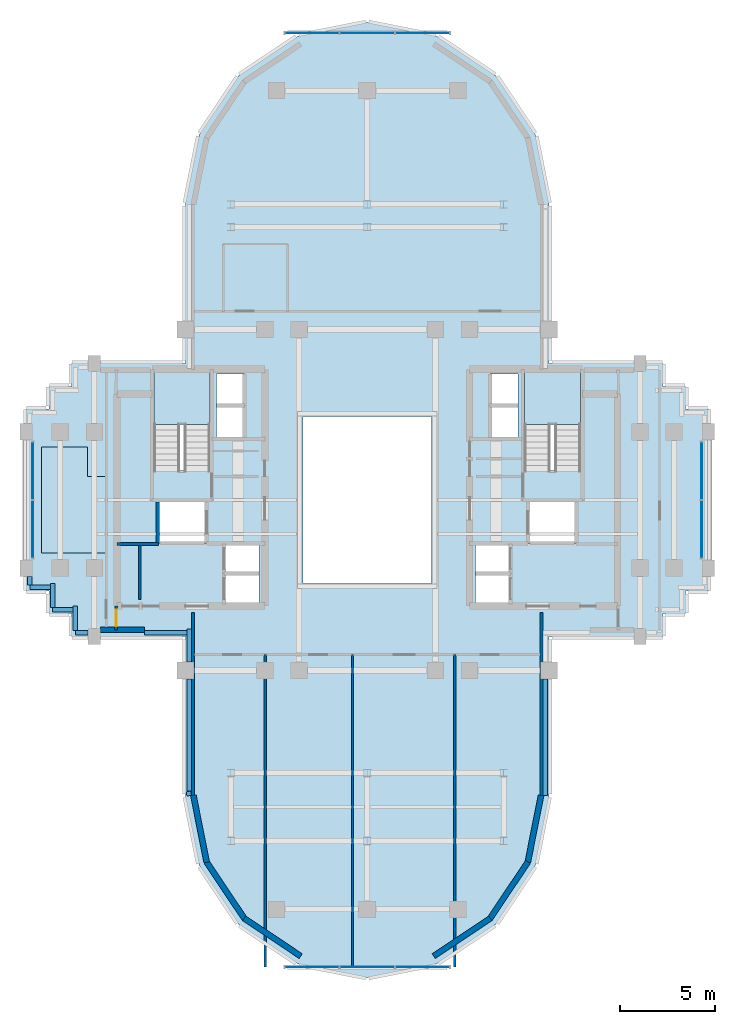
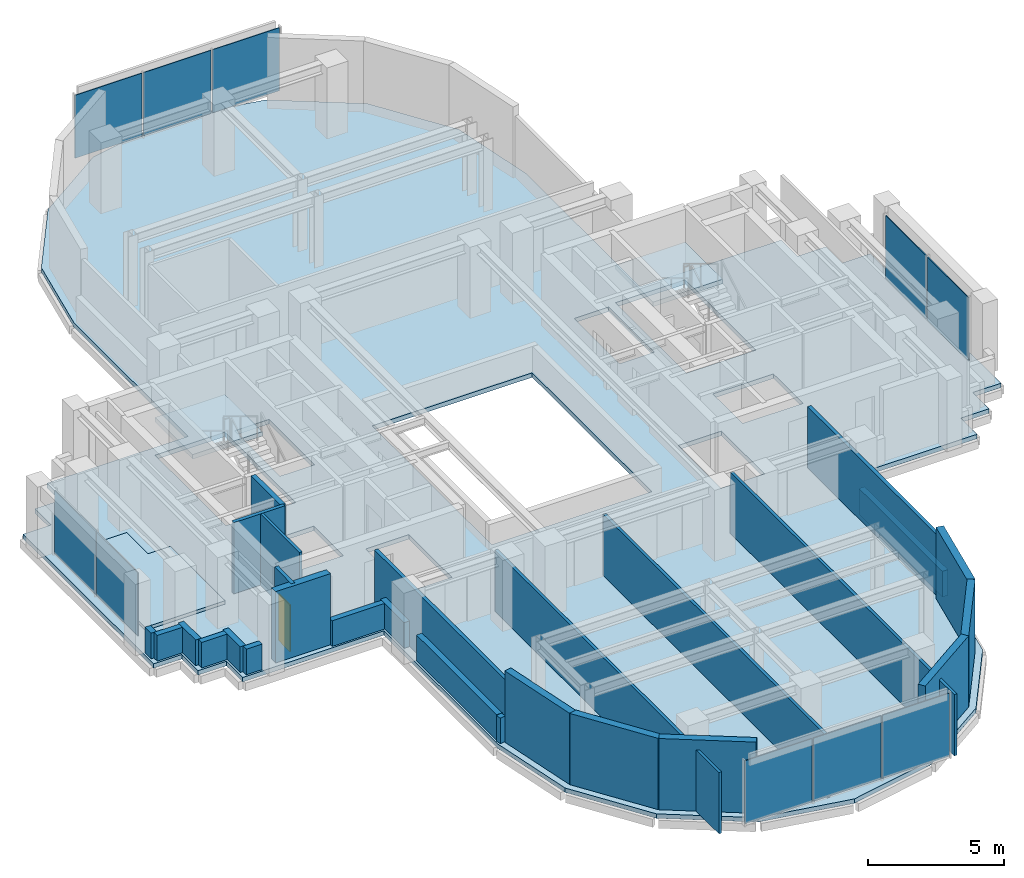
# One storey, part 5 of 11: 27 walls, 10 plates, 4 slabs, 1 door, 1 opening, 6 elements without a shape of their own.
"""IFC4 building model written with IfcOpenShell, lengths in metres."""

from ifc_helpers import new_model, si_unit, direction, frame, frame_2d, origin, origin_2d, place, context, subcontext, project, spatial, polyline, rectangle, outline, extrude, source, transform, mapped, material, layer, layer_set, type_object, element, fill, aggregate, save


model = new_model("IFC4")

# Units and contexts
model_context = context("Model", 3, precision=1e-05, world=origin(), true_north=direction((0.0, 1.0)))
body_context = subcontext(model_context, "Body", "Model", "MODEL_VIEW")
ifc_project = project(units=[si_unit("LENGTHUNIT", "METRE"), si_unit("AREAUNIT", "SQUARE_METRE"), si_unit("VOLUMEUNIT", "CUBIC_METRE"), si_unit("PLANEANGLEUNIT", "RADIAN"), si_unit("MASSUNIT", "GRAM", prefix="KILO")], contexts=[model_context])

# Site, building, storey
site_placement = place(None, origin())
site = spatial("IfcSite", under=ifc_project, at=site_placement, CompositionType="ELEMENT")
building_placement = place(site_placement, origin())
building = spatial("IfcBuilding", under=site, at=building_placement, Name="Keilestroom Media Tower", CompositionType="ELEMENT")
storey_placement = place(building_placement, frame((0.0, 0.0, 160.39990234375)))
storey = spatial("IfcBuildingStorey", under=building, at=storey_placement, Name="L43", CompositionType="ELEMENT", Elevation=160.39990234375)

# Slabs
ifc_material_1 = material(Name="Concrete C50/60", Category="concrete")
ifc_layer_1 = layer(ifc_material_1, 0.199951171875)
ifc_layer_set_1 = layer_set([ifc_layer_1], Name="Concrete C50/60")
slab_type_1 = type_object("IfcSlabType", Name="Composite-Floor-Slab-200", PredefinedType="FLOOR", material=ifc_layer_set_1)
slab_1_placement = place(storey_placement, frame((0.0, 0.0, -0.199951171875)))
element("IfcSlab", 1, at=slab_1_placement, inside=storey, type_object=slab_type_1, Name="L43 Structural Composite Floor Slab", PredefinedType="FLOOR", context=body_context, shape_type="SweptSolid", body=[
    extrude(outline(polyline([(18.0, -4.800048828125), (18.0, 4.800048828125), (16.800048828125, 4.800048828125), (16.800048828125, 6.0), (15.60009765625, 6.0), (15.60009765625, 7.199951171875), (9.60009765625, 7.199951171875), (9.60009765625, 9.60009765625), (9.60009765625, 15.60009765625), (8.869140625, 19.273681640625), (6.7880859375, 22.38818359375), (3.673828125, 24.46923828125), (0.0, 25.199951171875), (-3.673828125, 24.46923828125), (-6.7880859375, 22.38818359375), (-8.869140625, 19.273681640625), (-9.60009765625, 15.60009765625), (-9.60009765625, 9.60009765625), (-9.60009765625, 7.199951171875), (-15.60009765625, 7.199951171875), (-15.60009765625, 6.0), (-16.800048828125, 6.0), (-16.800048828125, 4.800048828125), (-18.0, 4.800048828125), (-18.0, -4.800048828125), (-16.800048828125, -4.800048828125), (-16.800048828125, -6.0), (-15.60009765625, -6.0), (-15.60009765625, -7.199951171875), (-9.60009765625, -7.199951171875), (-9.60009765625, -9.60009765625), (-9.60009765625, -15.60009765625), (-8.869140625, -19.273681640625), (-6.7880859375, -22.38818359375), (-3.673828125, -24.46923828125), (0.0, -25.199951171875), (3.673828125, -24.46923828125), (6.7880859375, -22.38818359375), (8.869140625, -19.273681640625), (9.60009765625, -15.60009765625), (9.60009765625, -9.60009765625), (9.60009765625, -7.199951171875), (15.60009765625, -7.199951171875), (15.60009765625, -6.0), (16.800048828125, -6.0), (16.800048828125, -4.800048828125), (18.0, -4.800048828125)]), holes=[polyline([(-11.260009765625, 1.544921875), (-11.260009765625, 6.760009765625), (-8.300048828125, 6.760009765625), (-8.300048828125, 1.544921875), (-11.260009765625, 1.544921875)]), polyline([(-11.050048828125, -2.280029296875), (-11.050048828125, -0.10009765625), (-8.47998046875, -0.10009765625), (-8.47998046875, -2.280029296875), (-11.050048828125, -2.280029296875)]), polyline([(-7.949951171875, 3.300048828125), (-7.949951171875, 6.64990234375), (-6.47998046875, 6.64990234375), (-6.47998046875, 3.300048828125), (-7.949951171875, 3.300048828125)]), polyline([(-7.56005859375, -2.320068359375), (-5.719970703125, -2.320068359375), (-5.719970703125, -5.47998046875), (-7.56005859375, -5.47998046875), (-7.56005859375, -2.320068359375)]), polyline([(3.39990234375, -4.39990234375), (-3.39990234375, -4.39990234375), (-3.39990234375, 4.39990234375), (3.39990234375, 4.39990234375), (3.39990234375, -4.39990234375)]), polyline([(7.56005859375, -2.320068359375), (7.56005859375, -5.47998046875), (5.719970703125, -5.47998046875), (5.719970703125, -2.320068359375), (7.56005859375, -2.320068359375)]), polyline([(6.47998046875, 3.300048828125), (6.47998046875, 6.64990234375), (7.949951171875, 6.64990234375), (7.949951171875, 3.300048828125), (6.47998046875, 3.300048828125)]), polyline([(8.300048828125, 1.544921875), (8.300048828125, 6.760009765625), (11.260009765625, 6.760009765625), (11.260009765625, 1.544921875), (8.300048828125, 1.544921875)]), polyline([(8.47998046875, -2.280029296875), (8.47998046875, -0.10009765625), (11.050048828125, -0.10009765625), (11.050048828125, -2.280029296875), (8.47998046875, -2.280029296875)])]), origin(), (0.0, 0.0, 1.0), 0.199951171875),
])
ifc_material_2 = material(Name="Concrete C45/55", Category="concrete")
ifc_layer_2 = layer(ifc_material_2, 0.14990234375)
ifc_layer_set_2 = layer_set([ifc_layer_2], Name="Concrete C45/55")
slab_type_2 = type_object("IfcSlabType", Name="Floating-Studio-Floor-Slab-150", PredefinedType="FLOOR", material=ifc_layer_set_2)
slab_2_placement = place(storey_placement, origin())
element("IfcSlab", 2, at=slab_2_placement, inside=storey, type_object=slab_type_2, Name="L43 Acoustic Floating Studio Slab ST-AUD-Z3", PredefinedType="FLOOR", context=body_context, shape_type="SweptSolid", body=[
    extrude(outline(polyline([(-17.199951171875, -2.800048828125), (-13.800048828125, -2.800048828125), (-13.800048828125, 1.23193359375), (-14.751953125, 1.23193359375), (-14.751953125, 2.800048828125), (-17.199951171875, 2.800048828125), (-17.199951171875, -2.800048828125)])), origin(), (0.0, 0.0, 1.0), 0.150146484375),
])

# Stair, slab
stair_type = type_object("IfcStairType", Name="Enclosed-Dog-Leg-Stair-ST-CORE", PredefinedType="HALF_TURN_STAIR", material=ifc_material_2)
stair_1_placement = place(storey_placement, origin())
stair_1 = element("IfcStair", 3, at=stair_1_placement, inside=storey, type_object=stair_type, Name="L43 West Core Escape Stair ST-1", PredefinedType="HALF_TURN_STAIR")
ifc_layer_3 = layer(ifc_material_2, 0.199951171875)
ifc_layer_set_3 = layer_set([ifc_layer_3], Name="Concrete C45/55")
slab_type_3 = type_object("IfcSlabType", Name="Stair-Intermediate-And-Top-Landing-Slab-200", PredefinedType="LANDING", material=ifc_layer_set_3)
slab_3_placement = place(storey_placement, frame((0.0, 0.0, 1.5)))
slab_3 = element("IfcSlab", 4, at=slab_3_placement, type_object=slab_type_3, Name="ST-1 landing 1", PredefinedType="LANDING", context=body_context, shape_type="SweptSolid", body=[
    extrude(outline(polyline([(-8.300048828125, 3.99609375), (-8.300048828125, 6.760009765625), (-11.260009765625, 6.760009765625), (-11.260009765625, 3.99609375), (-8.300048828125, 3.99609375)])), origin(), (0.0, 0.0, 1.0), 0.2001953125),
])
aggregate(stair_1, [slab_3])

stair_2_placement = place(storey_placement, origin())
stair_2 = element("IfcStair", 5, at=stair_2_placement, inside=storey, type_object=stair_type, Name="L43 East Core Escape Stair ST-2", PredefinedType="HALF_TURN_STAIR")
slab_4_placement = place(storey_placement, frame((0.0, 0.0, 1.5)))
slab_4 = element("IfcSlab", 6, at=slab_4_placement, type_object=slab_type_3, Name="ST-2 landing 1", PredefinedType="LANDING", context=body_context, shape_type="SweptSolid", body=[
    extrude(outline(polyline([(11.260009765625, 3.99609375), (11.260009765625, 6.760009765625), (8.300048828125, 6.760009765625), (8.300048828125, 3.99609375), (11.260009765625, 3.99609375)])), origin(), (0.0, 0.0, 1.0), 0.2001953125),
])
aggregate(stair_2, [slab_4])

# Curtain wall, plates
ifc_material_3 = material(Name="Anodised Aluminium Alloy", Category="aluminium")
curtain_wall_type_1 = type_object("IfcCurtainWallType", Name="Unitised-Curtain-Wall-CW-6", PredefinedType="NOTDEFINED", material=ifc_material_3)
curtain_wall_1_placement = place(storey_placement, origin())
curtain_wall_1 = element("IfcCurtainWall", 7, at=curtain_wall_1_placement, inside=storey, type_object=curtain_wall_type_1, Name="L43 Curtain Wall CW-6 CW-L43-LN-1", PredefinedType="NOTDEFINED")
ifc_material_4 = material(Name="Curved-Facet Triple Glazed Unit", Category="glass")
ifc_layer_4 = layer(ifc_material_4, 0.033935546875)
ifc_layer_set_4 = layer_set([ifc_layer_4], Name="Curved-Facet Triple Glazed Unit")
plate_type_1 = type_object("IfcPlateType", Name="Insulated-Curtain-Wall-Glazing-Panel-CW-6", PredefinedType="CURTAIN_PANEL", material=ifc_layer_set_4)
shared_shape_1 = source(origin(), body_context, "Body", "SweptSolid", [
    extrude(rectangle(XDim=2.84375, YDim=0.033935546875, at=origin_2d()), origin(), (0.0, 0.0, 1.0), 2.833984375),
])
plate_1_placement = place(storey_placement, frame((-2.9169921875, 24.64990234375, 0.072998046875), z_axis=(0.0, 0.0, 1.0), x_axis=(1.0, 0.0, 0.0)))
plate_1 = element("IfcPlate", 8, at=plate_1_placement, type_object=plate_type_1, Name="CW-6 Unitised Glazing 00", PredefinedType="CURTAIN_PANEL", context=body_context, shape_type="MappedRepresentation", body=[
    mapped(shared_shape_1, transform((0.0, 0.0, 0.0), x_axis=(1.0, 0.0, 0.0), y_axis=(0.0, 1.0, 0.0), z_axis=(0.0, 0.0, 1.0), scale=1.0)),
])
plate_2_placement = place(storey_placement, frame((2.9169921875, 24.64990234375, 0.072998046875), z_axis=(0.0, 0.0, 1.0), x_axis=(1.0, 0.0, 0.0)))
plate_2 = element("IfcPlate", 9, at=plate_2_placement, type_object=plate_type_1, Name="CW-6 Unitised Glazing 02", PredefinedType="CURTAIN_PANEL", context=body_context, shape_type="MappedRepresentation", body=[
    mapped(shared_shape_1, transform((0.0, 0.0, 0.0), x_axis=(1.0, 0.0, 0.0), y_axis=(0.0, 1.0, 0.0), z_axis=(0.0, 0.0, 1.0), scale=1.0)),
])

curtain_wall_2_placement = place(storey_placement, origin())
curtain_wall_2 = element("IfcCurtainWall", 10, at=curtain_wall_2_placement, inside=storey, type_object=curtain_wall_type_1, Name="L43 Curtain Wall CW-6 CW-L43-LS-1", PredefinedType="NOTDEFINED")
plate_3_placement = place(storey_placement, frame((-2.9169921875, -24.64990234375, 0.072998046875), z_axis=(0.0, 0.0, 1.0), x_axis=(1.0, 0.0, 0.0)))
plate_3 = element("IfcPlate", 11, at=plate_3_placement, type_object=plate_type_1, Name="CW-6 Unitised Glazing 00", PredefinedType="CURTAIN_PANEL", context=body_context, shape_type="MappedRepresentation", body=[
    mapped(shared_shape_1, transform((0.0, 0.0, 0.0), x_axis=(1.0, 0.0, 0.0), y_axis=(0.0, 1.0, 0.0), z_axis=(0.0, 0.0, 1.0), scale=1.0)),
])
plate_4_placement = place(storey_placement, frame((2.9169921875, -24.64990234375, 0.072998046875), z_axis=(0.0, 0.0, 1.0), x_axis=(1.0, 0.0, 0.0)))
plate_4 = element("IfcPlate", 12, at=plate_4_placement, type_object=plate_type_1, Name="CW-6 Unitised Glazing 02", PredefinedType="CURTAIN_PANEL", context=body_context, shape_type="MappedRepresentation", body=[
    mapped(shared_shape_1, transform((0.0, 0.0, 0.0), x_axis=(1.0, 0.0, 0.0), y_axis=(0.0, 1.0, 0.0), z_axis=(0.0, 0.0, 1.0), scale=1.0)),
])

# Plate
shared_shape_2 = source(origin(), body_context, "Body", "SweptSolid", [
    extrude(rectangle(XDim=2.876220703125, YDim=0.033935546875, at=origin_2d()), origin(), (0.0, 0.0, 1.0), 2.833984375),
])
plate_5_placement = place(storey_placement, frame((0.0, 24.64990234375, 0.072998046875), z_axis=(0.0, 0.0, 1.0), x_axis=(1.0, 0.0, 0.0)))
plate_5 = element("IfcPlate", 13, at=plate_5_placement, type_object=plate_type_1, Name="CW-6 Unitised Glazing 01", PredefinedType="CURTAIN_PANEL", context=body_context, shape_type="MappedRepresentation", body=[
    mapped(shared_shape_2, transform((0.0, 0.0, 0.0), x_axis=(1.0, 0.0, 0.0), y_axis=(0.0, 1.0, 0.0), z_axis=(0.0, 0.0, 1.0), scale=1.0)),
])

aggregate(curtain_wall_1, [plate_1, plate_5, plate_2])

plate_6_placement = place(storey_placement, frame((0.0, -24.64990234375, 0.072998046875), z_axis=(0.0, 0.0, 1.0), x_axis=(1.0, 0.0, 0.0)))
plate_6 = element("IfcPlate", 14, at=plate_6_placement, type_object=plate_type_1, Name="CW-6 Unitised Glazing 01", PredefinedType="CURTAIN_PANEL", context=body_context, shape_type="MappedRepresentation", body=[
    mapped(shared_shape_2, transform((0.0, 0.0, 0.0), x_axis=(1.0, 0.0, 0.0), y_axis=(0.0, 1.0, 0.0), z_axis=(0.0, 0.0, 1.0), scale=1.0)),
])

aggregate(curtain_wall_2, [plate_3, plate_6, plate_4])

# Curtain wall, plates
curtain_wall_type_2 = type_object("IfcCurtainWallType", Name="Unitised-Curtain-Wall-CW-3", PredefinedType="NOTDEFINED", material=ifc_material_3)
curtain_wall_3_placement = place(storey_placement, origin())
curtain_wall_3 = element("IfcCurtainWall", 15, at=curtain_wall_3_placement, inside=storey, type_object=curtain_wall_type_2, Name="L43 Curtain Wall CW-3 CW-L43-W-1", PredefinedType="NOTDEFINED")
ifc_material_5 = material(Name="Triple Glazed Acoustic Low-E Unit", Category="glass")
ifc_layer_5 = layer(ifc_material_5, 0.0380859375)
ifc_layer_set_5 = layer_set([ifc_layer_5], Name="Triple Glazed Acoustic Low-E Unit")
plate_type_2 = type_object("IfcPlateType", Name="Insulated-Curtain-Wall-Glazing-Panel-CW-3", PredefinedType="CURTAIN_PANEL", material=ifc_layer_set_5)
shared_shape_3 = source(origin(), body_context, "Body", "SweptSolid", [
    extrude(rectangle(XDim=3.025390625, YDim=0.0380859375, at=origin_2d()), origin(), (0.0, 0.0, 1.0), 2.833984375),
])
plate_7_placement = place(storey_placement, frame((-17.64990234375, -1.541259765625, 0.072998046875), z_axis=(0.0, 0.0, 1.0), x_axis=(0.0, 1.0, 0.0)))
plate_7 = element("IfcPlate", 16, at=plate_7_placement, type_object=plate_type_2, Name="CW-3 Unitised Glazing 00", PredefinedType="CURTAIN_PANEL", context=body_context, shape_type="MappedRepresentation", body=[
    mapped(shared_shape_3, transform((0.0, 0.0, 0.0), x_axis=(1.0, 0.0, 0.0), y_axis=(0.0, 1.0, 0.0), z_axis=(0.0, 0.0, 1.0), scale=1.0)),
])
plate_8_placement = place(storey_placement, frame((-17.64990234375, 1.541259765625, 0.072998046875), z_axis=(0.0, 0.0, 1.0), x_axis=(0.0, 1.0, 0.0)))
plate_8 = element("IfcPlate", 17, at=plate_8_placement, type_object=plate_type_2, Name="CW-3 Unitised Glazing 01", PredefinedType="CURTAIN_PANEL", context=body_context, shape_type="MappedRepresentation", body=[
    mapped(shared_shape_3, transform((0.0, 0.0, 0.0), x_axis=(1.0, 0.0, 0.0), y_axis=(0.0, 1.0, 0.0), z_axis=(0.0, 0.0, 1.0), scale=1.0)),
])
aggregate(curtain_wall_3, [plate_7, plate_8])

curtain_wall_4_placement = place(storey_placement, origin())
curtain_wall_4 = element("IfcCurtainWall", 18, at=curtain_wall_4_placement, inside=storey, type_object=curtain_wall_type_2, Name="L43 Curtain Wall CW-3 CW-L43-E-1", PredefinedType="NOTDEFINED")
plate_9_placement = place(storey_placement, frame((17.64990234375, -1.541259765625, 0.072998046875), z_axis=(0.0, 0.0, 1.0), x_axis=(0.0, 1.0, 0.0)))
plate_9 = element("IfcPlate", 19, at=plate_9_placement, type_object=plate_type_2, Name="CW-3 Unitised Glazing 00", PredefinedType="CURTAIN_PANEL", context=body_context, shape_type="MappedRepresentation", body=[
    mapped(shared_shape_3, transform((0.0, 0.0, 0.0), x_axis=(1.0, 0.0, 0.0), y_axis=(0.0, 1.0, 0.0), z_axis=(0.0, 0.0, 1.0), scale=1.0)),
])
plate_10_placement = place(storey_placement, frame((17.64990234375, 1.541259765625, 0.072998046875), z_axis=(0.0, 0.0, 1.0), x_axis=(0.0, 1.0, 0.0)))
plate_10 = element("IfcPlate", 20, at=plate_10_placement, type_object=plate_type_2, Name="CW-3 Unitised Glazing 01", PredefinedType="CURTAIN_PANEL", context=body_context, shape_type="MappedRepresentation", body=[
    mapped(shared_shape_3, transform((0.0, 0.0, 0.0), x_axis=(1.0, 0.0, 0.0), y_axis=(0.0, 1.0, 0.0), z_axis=(0.0, 0.0, 1.0), scale=1.0)),
])
aggregate(curtain_wall_4, [plate_9, plate_10])

# Walls
ifc_material_6 = material(Name="Precast concrete C40/50", Category="concrete")
ifc_layer_6 = layer(ifc_material_6, 0.300048828125)
ifc_layer_set_6 = layer_set([ifc_layer_6], Name="Precast concrete C40/50")
wall_type_1 = type_object("IfcWallType", Name="Exterior-Masonry-Spandrel-Wall-300", PredefinedType="SOLIDWALL", material=ifc_layer_set_6)
wall_1_placement = place(storey_placement, frame((-14.0830078125, -6.85009765625, 0.0), z_axis=(0.0, 0.0, 1.0), x_axis=(1.0, 0.0, 0.0)))
element("IfcWall", 21, at=wall_1_placement, inside=storey, type_object=wall_type_1, Name="L43 Flank Masonry Wall EWL-L43-SW-1", PredefinedType="SOLIDWALL", context=body_context, shape_type="SweptSolid", body=[
    extrude(rectangle(XDim=2.3330078125, YDim=0.300048828125, at=frame_2d((1.16650390625, 0.0))), origin(), (0.0, 0.0, 1.0), 3.2001953125),
])
for number, where, z_axis, x_axis, name in (
    (22, (-9.1748046875, -15.585205078125, 0.0), (0.0, 0.0, 1.0), (0.195114232679, -0.980780523974, 0.0), "L43 Lobe Facet Precast Frame Wall 07"),
    (23, (-8.48193359375, -19.097412109375, 0.0), (0.0, 0.0, 1.0), (0.555574187116, -0.831466970246, 0.0), "L43 Lobe Facet Precast Frame Wall 08"),
):
    element("IfcWall", number, at=place(storey_placement, frame(where, z_axis=z_axis, x_axis=x_axis)), inside=storey, type_object=wall_type_1, Name=name, PredefinedType="SOLIDWALL", context=body_context, shape_type="SweptSolid", body=[
        extrude(rectangle(XDim=3.608642578125, YDim=0.300048828125, at=frame_2d((1.80419921875, 0.0))), origin(), (0.0, 0.0, 1.0), 3.2001953125),
    ])
for number, where, z_axis, x_axis, name in (
    (24, (-6.497802734375, -22.0771484375, 0.0), (0.0, 0.0, 1.0), (0.8314749531, -0.555562239868, 0.0), "L43 Lobe Facet Precast Frame Wall 09"),
    (25, (3.510009765625, -24.073486328125, 0.0), (0.0, 0.0, 1.0), (0.8314749531, 0.555562239868, 0.0), "L43 Lobe Facet Precast Frame Wall 10"),
):
    element("IfcWall", number, at=place(storey_placement, frame(where, z_axis=z_axis, x_axis=x_axis)), inside=storey, type_object=wall_type_1, Name=name, PredefinedType="SOLIDWALL", context=body_context, shape_type="SweptSolid", body=[
        extrude(rectangle(XDim=3.59326171875, YDim=0.300048828125, at=frame_2d((1.796630859375, 0.0))), origin(), (0.0, 0.0, 1.0), 3.2001953125),
    ])
for number, where, z_axis, x_axis, name in (
    (26, (6.47705078125, -22.097900390625, 0.0), (0.0, 0.0, 1.0), (0.555574187116, 0.831466970246, 0.0), "L43 Lobe Facet Precast Frame Wall 11"),
    (27, (8.470703125, -19.12451171875, 0.0), (0.0, 0.0, 1.0), (0.195114232679, 0.980780523974, 0.0), "L43 Lobe Facet Precast Frame Wall 12"),
):
    element("IfcWall", number, at=place(storey_placement, frame(where, z_axis=z_axis, x_axis=x_axis)), inside=storey, type_object=wall_type_1, Name=name, PredefinedType="SOLIDWALL", context=body_context, shape_type="SweptSolid", body=[
        extrude(rectangle(XDim=3.608642578125, YDim=0.300048828125, at=frame_2d((1.80419921875, 0.0))), origin(), (0.0, 0.0, 1.0), 3.2001953125),
    ])
ifc_material_7 = material(Name="Gypsum Plasterboard & Steel Stud", Category="steel")
ifc_layer_7 = layer(ifc_material_7, 0.1201171875)
ifc_layer_set_7 = layer_set([ifc_layer_7], Name="Gypsum Plasterboard & Steel Stud")
wall_type_2 = type_object("IfcWallType", Name="Interior-Partition-Wall-120", PredefinedType="PARTITIONING", material=ifc_layer_set_7)
wall_2_placement = place(storey_placement, frame((-12.010009765625, -5.260009765625, 0.0), z_axis=(0.0, 0.0, 1.0), x_axis=(0.0, 1.0, 0.0)))
element("IfcWall", 28, at=wall_2_placement, inside=storey, type_object=wall_type_2, Name="L43 Interior Wall WP-L43-RECLW-M", PredefinedType="PARTITIONING", context=body_context, shape_type="SweptSolid", body=[
    extrude(rectangle(XDim=2.93994140625, YDim=0.1201171875, at=frame_2d((1.469970703125, 0.0))), origin(), (0.0, 0.0, 1.0), 3.2001953125),
])
for number, where, z_axis, x_axis, name in (
    (29, (-5.3798828125, -24.64990234375, 0.0), (0.0, 0.0, 1.0), (0.0, 1.0, 0.0), "L43 Interior Wall WP-L43-SL-QV1"),
    (30, (-0.780029296875, -24.64990234375, 0.0), (0.0, 0.0, 1.0), (0.0, 1.0, 0.0), "L43 Interior Wall WP-L43-SL-QV2"),
    (31, (4.6201171875, -24.64990234375, 0.0), (0.0, 0.0, 1.0), (0.0, 1.0, 0.0), "L43 Interior Wall WP-L43-SL-QV3"),
):
    element("IfcWall", number, at=place(storey_placement, frame(where, z_axis=z_axis, x_axis=x_axis)), inside=storey, type_object=wall_type_2, Name=name, PredefinedType="PARTITIONING", context=body_context, shape_type="SweptSolid", body=[
        extrude(rectangle(XDim=16.489990234375, YDim=0.1201171875, at=frame_2d((8.2451171875, 0.0))), origin(), (0.0, 0.0, 1.0), 2.75),
    ])
ifc_layer_8 = layer(ifc_material_7, 0.14990234375)
ifc_layer_set_8 = layer_set([ifc_layer_8], Name="Gypsum Plasterboard & Steel Stud")
wall_type_3 = type_object("IfcWallType", Name="Interior-Partition-Wall-150", PredefinedType="PARTITIONING", material=ifc_layer_set_8)
wall_3_placement = place(storey_placement, frame((-13.199951171875, -2.320068359375, 0.0), z_axis=(0.0, 0.0, 1.0), x_axis=(1.0, 0.0, 0.0)))
element("IfcWall", 32, at=wall_3_placement, inside=storey, type_object=wall_type_3, Name="L43 Interior Wall WP-L43-RECLW-N", PredefinedType="PARTITIONING", context=body_context, shape_type="SweptSolid", body=[
    extrude(rectangle(XDim=2.179931640625, YDim=0.14990234375, at=frame_2d((1.08984375, 0.0))), origin(), (0.0, 0.0, 1.0), 3.2001953125),
])
for number, where, z_axis, x_axis, name in (
    (33, (-9.199951171875, -15.679931640625, 0.0), (0.0, 0.0, 1.0), (0.0, 1.0, 0.0), "L43 Interior Wall WP-L43-SL-CHKW"),
    (34, (9.199951171875, -15.679931640625, 0.0), (0.0, 0.0, 1.0), (0.0, 1.0, 0.0), "L43 Interior Wall WP-L43-SL-CHKE"),
):
    element("IfcWall", number, at=place(storey_placement, frame(where, z_axis=z_axis, x_axis=x_axis)), inside=storey, type_object=wall_type_3, Name=name, PredefinedType="PARTITIONING", context=body_context, shape_type="SweptSolid", body=[
        extrude(rectangle(XDim=9.739990234375, YDim=0.14990234375, at=frame_2d((4.8701171875, 0.0))), origin(), (0.0, 0.0, 1.0), 2.75),
    ])

# Wall, opening, door
wall_4_placement = place(storey_placement, frame((-13.260009765625, -6.85009765625, 0.0), z_axis=(0.0, 0.0, 1.0), x_axis=(0.016013571389, 0.999871774545, 0.0)))
wall_4 = element("IfcWall", 35, at=wall_4_placement, inside=storey, type_object=wall_type_3, Name="L43 Interior Wall WP-L43-WA-ENTS", PredefinedType="PARTITIONING", context=body_context, shape_type="SweptSolid", body=[
    extrude(rectangle(XDim=1.250244140625, YDim=0.14990234375, at=frame_2d((0.625, 0.0))), origin(), (0.0, 0.0, 1.0), 3.2001953125),
])
opening_placement = place(wall_4_placement, frame((0.199951171875, 0.0, 0.0)))
opening = element("IfcOpeningElement", 36, at=opening_placement, cuts=wall_4, Name="Opening DI-05", PredefinedType="OPENING", context=body_context, shape_type="SweptSolid", body=[
    extrude(rectangle(XDim=0.85009765625, YDim=2.10009765625, at=frame_2d((0.425048828125, 1.050048828125))), frame((0.0, 0.0849609375, 0.0), z_axis=(0.0, -1.0, 0.0), x_axis=(1.0, 0.0, 0.0)), (0.0, 0.0, 1.0), 0.169921875),
])
ifc_material_8 = material(Name="Moisture-Resistant Oak Leaf", Category="wood")
door_type = type_object("IfcDoorType", Name="Interior-En-Suite-And-Cupboard-Door-DI-05", OperationType="NOTDEFINED", PredefinedType="DOOR", material=ifc_material_8)
shared_shape_4 = source(origin(), body_context, "Body", "SweptSolid", [
    extrude(rectangle(XDim=0.85009765625, YDim=2.10009765625, at=frame_2d((0.425048828125, 1.050048828125))), frame((0.0, 0.02490234375, 0.0), z_axis=(0.0, -1.0, 0.0), x_axis=(1.0, 0.0, 0.0)), (0.0, 0.0, 1.0), 0.050048828125),
])
door_placement = place(opening_placement, origin())
door = element("IfcDoor", 37, at=door_placement, inside=storey, type_object=door_type, Name="L43 Interior Door DI-L43-DWA-ENTS", OperationType="SINGLE_SWING_RIGHT", OverallHeight=2.10009765625, OverallWidth=0.85009765625, PredefinedType="DOOR", context=body_context, shape_type="MappedRepresentation", body=[
    mapped(shared_shape_4, transform((0.0, 0.0, 0.0), x_axis=(1.0, 0.0, 0.0), y_axis=(0.0, 1.0, 0.0), z_axis=(0.0, 0.0, 1.0), scale=1.0)),
])
fill(opening, door)

# Walls
ifc_layer_9 = layer(ifc_material_1, 0.199951171875)
ifc_layer_set_9 = layer_set([ifc_layer_9], Name="Concrete C50/60")
wall_type_4 = type_object("IfcWallType", Name="Reinforced-Concrete-Shaft-Wall-200", PredefinedType="SOLIDWALL", material=ifc_layer_set_9)
wall_5_placement = place(storey_placement, frame((-11.050048828125, -2.280029296875, 0.0), z_axis=(0.0, 0.0, 1.0), x_axis=(0.0, 1.0, 0.0)))
element("IfcWall", 38, at=wall_5_placement, inside=storey, type_object=wall_type_4, Name="L43 Core Shear Wall WL-L43-LSH-FFL-1-W", PredefinedType="SOLIDWALL", context=body_context, shape_type="SweptSolid", body=[
    extrude(rectangle(XDim=2.179931640625, YDim=0.199951171875, at=frame_2d((1.08984375, 0.0))), origin(), (0.0, 0.0, 1.0), 3.2001953125),
])
ifc_layer_10 = layer(ifc_material_6, 0.239990234375)
ifc_layer_set_10 = layer_set([ifc_layer_10], Name="Precast concrete C40/50")
wall_type_5 = type_object("IfcWallType", Name="Roof-And-Terrace-Parapet-Wall-240", PredefinedType="PARAPET", material=ifc_layer_set_10)
wall_6_placement = place(storey_placement, frame((9.39990234375, -9.452880859375, 0.0), z_axis=(0.0, 0.0, 1.0), x_axis=(0.0, -1.0, 0.0)))
element("IfcWall", 39, at=wall_6_placement, inside=storey, type_object=wall_type_5, Name="L43 Perimeter Edge Parapet Wall 09", PredefinedType="PARAPET", context=body_context, shape_type="SweptSolid", body=[
    extrude(rectangle(XDim=6.14990234375, YDim=0.239990234375, at=frame_2d((3.074951171875, 0.0))), origin(), (0.0, 0.0, 1.0), 1.150146484375),
])
wall_7_placement = place(storey_placement, frame((-9.395263671875, -15.604248046875, 0.0), z_axis=(0.0, 0.0, 1.0), x_axis=(-0.194652052864, 0.980872355771, 0.0)))
element("IfcWall", 40, at=wall_7_placement, inside=storey, type_object=wall_type_5, Name="L43 Perimeter Edge Parapet Wall 10", PredefinedType="PARAPET", context=body_context, shape_type="SweptSolid", body=[
    extrude(rectangle(XDim=0.224609375, YDim=0.239990234375, at=frame_2d((0.1123046875, 0.0))), origin(), (0.0, 0.0, 1.0), 1.150146484375),
])
wall_8_placement = place(storey_placement, frame((-9.39990234375, -15.357666015625, 0.0), z_axis=(0.0, 0.0, 1.0), x_axis=(0.0, 1.0, 0.0)))
element("IfcWall", 41, at=wall_8_placement, inside=storey, type_object=wall_type_5, Name="L43 Perimeter Edge Parapet Wall 11", PredefinedType="PARAPET", context=body_context, shape_type="SweptSolid", body=[
    extrude(rectangle(XDim=5.90478515625, YDim=0.239990234375, at=frame_2d((2.952392578125, 0.0))), origin(), (0.0, 0.0, 1.0), 1.150146484375),
])
wall_9_placement = place(storey_placement, frame((-9.39990234375, -8.547119140625, 0.0), z_axis=(0.0, 0.0, 1.0), x_axis=(0.0, 1.0, 0.0)))
element("IfcWall", 42, at=wall_9_placement, inside=storey, type_object=wall_type_5, Name="L43 Perimeter Edge Parapet Wall 12", PredefinedType="PARAPET", context=body_context, shape_type="SweptSolid", body=[
    extrude(rectangle(XDim=1.7470703125, YDim=0.239990234375, at=frame_2d((0.87353515625, 0.0))), origin(), (0.0, 0.0, 1.0), 1.150146484375),
])
wall_10_placement = place(storey_placement, frame((-9.52294921875, -7.0, 0.0), z_axis=(0.0, 0.0, 1.0), x_axis=(-1.0, 0.0, 0.0)))
element("IfcWall", 43, at=wall_10_placement, inside=storey, type_object=wall_type_5, Name="L43 Perimeter Edge Parapet Wall 13", PredefinedType="PARAPET", context=body_context, shape_type="SweptSolid", body=[
    extrude(rectangle(XDim=2.22412109375, YDim=0.239990234375, at=frame_2d((1.112060546875, 0.0))), origin(), (0.0, 0.0, 1.0), 1.150146484375),
])
wall_11_placement = place(storey_placement, frame((-14.72802734375, -7.0, 0.0), z_axis=(0.0, 0.0, 1.0), x_axis=(-1.0, 0.0, 0.0)))
element("IfcWall", 44, at=wall_11_placement, inside=storey, type_object=wall_type_5, Name="L43 Perimeter Edge Parapet Wall 14", PredefinedType="PARAPET", context=body_context, shape_type="SweptSolid", body=[
    extrude(rectangle(XDim=0.671875, YDim=0.239990234375, at=frame_2d((0.3359375, 0.0))), origin(), (0.0, 0.0, 1.0), 1.150146484375),
])
wall_12_placement = place(storey_placement, frame((-15.39990234375, -6.876953125, 0.0), z_axis=(0.0, 0.0, 1.0), x_axis=(0.0, 1.0, 0.0)))
element("IfcWall", 45, at=wall_12_placement, inside=storey, type_object=wall_type_5, Name="L43 Perimeter Edge Parapet Wall 15", PredefinedType="PARAPET", context=body_context, shape_type="SweptSolid", body=[
    extrude(rectangle(XDim=1.27685546875, YDim=0.239990234375, at=frame_2d((0.638427734375, 0.0))), origin(), (0.0, 0.0, 1.0), 1.150146484375),
])
wall_13_placement = place(storey_placement, frame((-15.52294921875, -5.800048828125, 0.0), z_axis=(0.0, 0.0, 1.0), x_axis=(-1.0, 0.0, 0.0)))
element("IfcWall", 46, at=wall_13_placement, inside=storey, type_object=wall_type_5, Name="L43 Perimeter Edge Parapet Wall 16", PredefinedType="PARAPET", context=body_context, shape_type="SweptSolid", body=[
    extrude(rectangle(XDim=1.0771484375, YDim=0.239990234375, at=frame_2d((0.53857421875, 0.0))), origin(), (0.0, 0.0, 1.0), 1.150146484375),
])
wall_14_placement = place(storey_placement, frame((-16.60009765625, -5.677001953125, 0.0), z_axis=(0.0, 0.0, 1.0), x_axis=(0.0, 1.0, 0.0)))
element("IfcWall", 47, at=wall_14_placement, inside=storey, type_object=wall_type_5, Name="L43 Perimeter Edge Parapet Wall 17", PredefinedType="PARAPET", context=body_context, shape_type="SweptSolid", body=[
    extrude(rectangle(XDim=1.277099609375, YDim=0.239990234375, at=frame_2d((0.638671875, 0.0))), origin(), (0.0, 0.0, 1.0), 1.150146484375),
])
wall_15_placement = place(storey_placement, frame((-16.722900390625, -4.60009765625, 0.0), z_axis=(0.0, 0.0, 1.0), x_axis=(-1.0, 0.0, 0.0)))
element("IfcWall", 48, at=wall_15_placement, inside=storey, type_object=wall_type_5, Name="L43 Perimeter Edge Parapet Wall 18", PredefinedType="PARAPET", context=body_context, shape_type="SweptSolid", body=[
    extrude(rectangle(XDim=1.0771484375, YDim=0.239990234375, at=frame_2d((0.53857421875, 0.0))), origin(), (0.0, 0.0, 1.0), 1.150146484375),
])
wall_16_placement = place(storey_placement, frame((-17.800048828125, -4.47705078125, 0.0), z_axis=(0.0, 0.0, 1.0), x_axis=(0.0, 1.0, 0.0)))
element("IfcWall", 49, at=wall_16_placement, inside=storey, type_object=wall_type_5, Name="L43 Perimeter Edge Parapet Wall 19", PredefinedType="PARAPET", context=body_context, shape_type="SweptSolid", body=[
    extrude(rectangle(XDim=0.448974609375, YDim=0.239990234375, at=frame_2d((0.224609375, 0.0))), origin(), (0.0, 0.0, 1.0), 1.150146484375),
])

save(model, "model.ifc")
